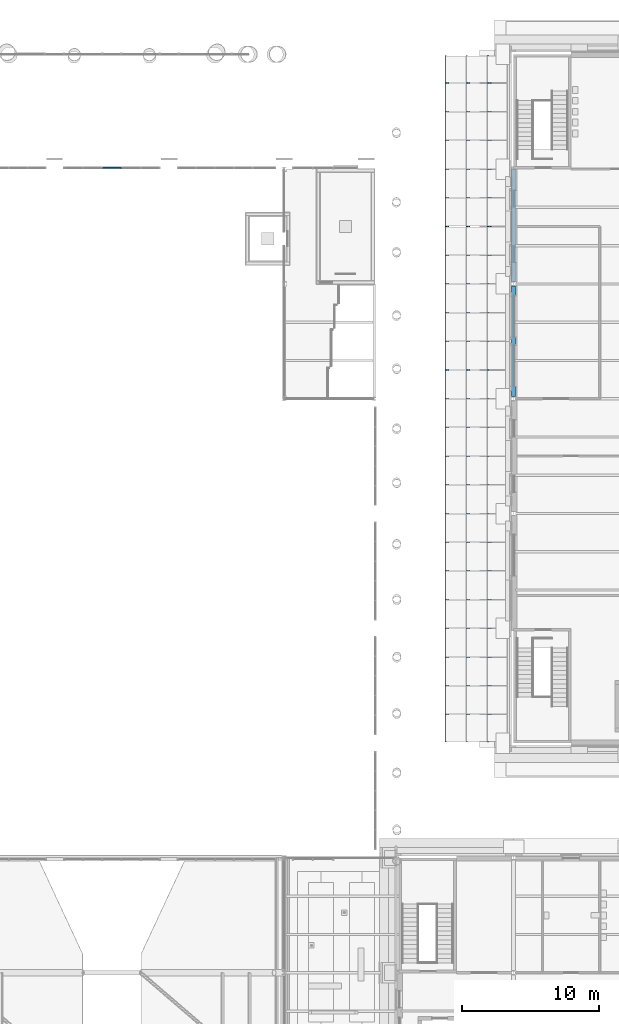
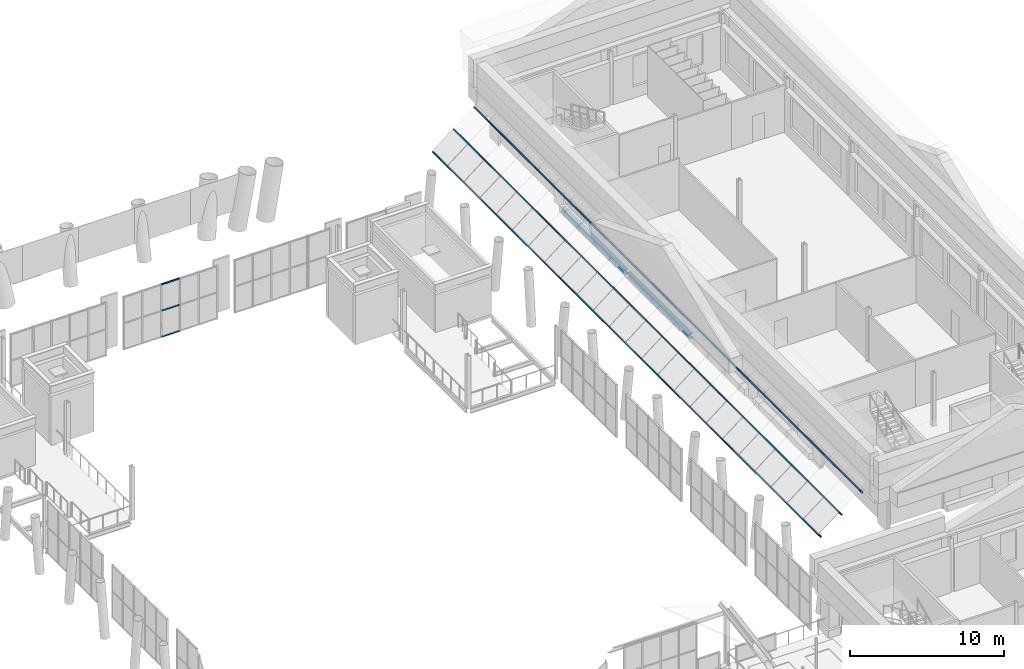
# One storey, part 31 of 76: 9 members, 2 beams, 1 element without a shape of its own.
"""IFC4 building model written with IfcOpenShell, lengths in metres."""

from ifc_helpers import new_model, si_unit, direction, frame, origin, origin_2d, place, context, subcontext, project, spatial, rectangle, i_section, extrude, material, material_profile, profile_set, type_object, element, aggregate, save


model = new_model("IFC4")

# Units and contexts
model_context = context("Model", 3, precision=1e-05, world=origin(), true_north=direction((0.0, 1.0)))
body_context = subcontext(model_context, "Body", "Model", "MODEL_VIEW")
ifc_project = project(units=[si_unit("LENGTHUNIT", "METRE"), si_unit("AREAUNIT", "SQUARE_METRE"), si_unit("VOLUMEUNIT", "CUBIC_METRE"), si_unit("PLANEANGLEUNIT", "RADIAN"), si_unit("MASSUNIT", "GRAM", prefix="KILO")], contexts=[model_context])

# Site, building, storey
site_placement = place(None, origin())
site = spatial("IfcSite", under=ifc_project, at=site_placement, CompositionType="ELEMENT")
building_placement = place(site_placement, origin())
building = spatial("IfcBuilding", under=site, at=building_placement, Name="Sava Quay Ferry Terminal", CompositionType="ELEMENT")
storey_placement = place(building_placement, frame((0.0, 0.0, 10.800048828125)))
storey = spatial("IfcBuildingStorey", under=building, at=storey_placement, Name="L02", CompositionType="ELEMENT", Elevation=10.800048828125)

# Beams
ifc_material_1 = material(Name="Steel S355", Category="steel")
ifc_material_profile_1 = material_profile(ifc_material_1, i_section(OverallWidth=0.300048828125, OverallDepth=0.389892578125, WebThickness=0.010986328125, FlangeThickness=0.01904296875, at=origin_2d()), Name="HE 400 A")
ifc_profile_set_1 = profile_set([ifc_material_profile_1], Name="Steel S355")
beam_type = type_object("IfcBeamType", Name="Girder HE 400 A", PredefinedType="BEAM", material=ifc_profile_set_1)
beam_1_placement = place(storey_placement, frame((92.39990234375, 84.14990234375, -0.324951171875), z_axis=(0.0, 1.0, 0.0), x_axis=(-1.0, 0.0, 0.0)))
element("IfcBeam", 1, at=beam_1_placement, inside=storey, type_object=beam_type, Name="Girder L02", PredefinedType="BEAM", context=body_context, shape_type="SweptSolid", body=[
    extrude(i_section(OverallWidth=0.300048828125, OverallDepth=0.389892578125, WebThickness=0.010986328125, FlangeThickness=0.01904296875, at=origin_2d()), origin(), (0.0, 0.0, 1.0), 8.10009765625),
])
beam_2_placement = place(storey_placement, frame((92.39990234375, 92.550048828125, -0.324951171875), z_axis=(0.0, 1.0, 0.0), x_axis=(-1.0, 0.0, 0.0)))
element("IfcBeam", 2, at=beam_2_placement, inside=storey, type_object=beam_type, Name="Girder L02", PredefinedType="BEAM", context=body_context, shape_type="SweptSolid", body=[
    extrude(i_section(OverallWidth=0.300048828125, OverallDepth=0.389892578125, WebThickness=0.010986328125, FlangeThickness=0.01904296875, at=origin_2d()), origin(), (0.0, 0.0, 1.0), 8.25),
])

# Members
ifc_material_2 = material(Name="Aluminium EN AW-6063 T6", Category="aluminium")
ifc_material_profile_2 = material_profile(ifc_material_2, rectangle(XDim=0.06005859375, YDim=0.06005859375, at=origin_2d()), Name="Bar 60 x 60")
ifc_profile_set_2 = profile_set([ifc_material_profile_2], Name="Aluminium EN AW-6063 T6")
member_type_1 = type_object("IfcMemberType", Name="Glazing bar 60x60", PredefinedType="USERDEFINED", material=ifc_profile_set_2)
for number, where, z_axis, x_axis, name in (
    (3, (87.423583984375, 109.085693359375, 0.9619140625), (0.0, -1.0, 0.0), (0.786318338826, 0.0, 0.617821551927), "Passage roof glazing bar GL25"),
    (4, (88.973388671875, 109.085693359375, 2.1796875), (0.0, -1.0, 0.0), (0.786318338826, 0.0, 0.617821551927), "Passage roof glazing bar GL26"),
    (5, (90.5234375, 109.085693359375, 3.397705078125), (0.0, -1.0, 0.0), (0.786318338826, 0.0, 0.617821551927), "Passage roof glazing bar GL27"),
):
    element("IfcMember", number, at=place(storey_placement, frame(where, z_axis=z_axis, x_axis=x_axis)), inside=storey, type_object=member_type_1, Name=name, ObjectType="GLAZING BAR", PredefinedType="USERDEFINED", context=body_context, shape_type="SweptSolid", body=[
        extrude(rectangle(XDim=0.06005859375, YDim=0.06005859375, at=origin_2d()), origin(), (0.0, 0.0, 1.0), 50.17138671875),
    ])
ifc_material_3 = material(Name="Steel S355", Category="steel")
ifc_material_profile_3 = material_profile(ifc_material_3, i_section(OverallWidth=0.135009765625, OverallDepth=0.27001953125, WebThickness=0.006591796875, FlangeThickness=0.01025390625, at=origin_2d()), Name="IPE 270")
ifc_profile_set_3 = profile_set([ifc_material_profile_3], Name="Steel S355")
member_type_2 = type_object("IfcMemberType", Name="Roof purlin IPE 270", PredefinedType="PURLIN", material=ifc_profile_set_3)
for number, where, z_axis, x_axis, name in (
    (6, (87.525390625, 109.085693359375, 0.832275390625), (0.0, -1.0, 0.0), (0.786318338826, 0.0, 0.617821551927), "Passage roof purlin PU2"),
    (7, (89.075439453125, 109.085693359375, 2.050048828125), (0.0, -1.0, 0.0), (0.786318338826, 0.0, 0.617821551927), "Passage roof purlin PU3"),
    (8, (90.62548828125, 109.085693359375, 3.267822265625), (0.0, -1.0, 0.0), (0.786318338826, 0.0, 0.617821551927), "Passage roof purlin PU4"),
):
    element("IfcMember", number, at=place(storey_placement, frame(where, z_axis=z_axis, x_axis=x_axis)), inside=storey, type_object=member_type_2, Name=name, PredefinedType="PURLIN", context=body_context, shape_type="SweptSolid", body=[
        extrude(i_section(OverallWidth=0.135009765625, OverallDepth=0.27001953125, WebThickness=0.006591796875, FlangeThickness=0.01025390625, at=origin_2d()), origin(), (0.0, 0.0, 1.0), 50.17138671875),
    ])

# Curtain wall, members
ifc_material_4 = material(Name="Aluminium and glass curtain wall, double low-e glazed", Category="aluminium")
curtain_wall_type = type_object("IfcCurtainWallType", Name="Curtain wall CW-G gable", PredefinedType="NOTDEFINED", material=ifc_material_4)
curtain_wall_placement = place(storey_placement, origin())
curtain_wall = element("IfcCurtainWall", 9, at=curtain_wall_placement, inside=storey, type_object=curtain_wall_type, Name="Curtain wall D-N L02 bay 31", PredefinedType="NOTDEFINED")
ifc_material_5 = material(Name="Aluminium EN AW-6063 T6", Category="aluminium")
ifc_material_profile_4 = material_profile(ifc_material_5, rectangle(XDim=0.1201171875, YDim=0.050048828125, at=origin_2d()), Name="Transom 50x120 aluminium")
ifc_profile_set_4 = profile_set([ifc_material_profile_4], Name="Aluminium EN AW-6063 T6")
member_type_3 = type_object("IfcMemberType", Name="Transom 50x120 aluminium", PredefinedType="USERDEFINED", material=ifc_profile_set_4)
member_1_placement = place(storey_placement, frame((62.323974609375, 100.885009765625, 0.02490234375), z_axis=(1.0, 0.0, 0.0), x_axis=(0.0, 1.0, 0.0)))
member_1 = element("IfcMember", 10, at=member_1_placement, type_object=member_type_3, Name="CW71 transom 3.1", ObjectType="TRANSOM", PredefinedType="USERDEFINED", context=body_context, shape_type="SweptSolid", body=[
    extrude(rectangle(XDim=0.1201171875, YDim=0.050048828125, at=origin_2d()), origin(), (0.0, 0.0, 1.0), 1.35205078125),
])
member_2_placement = place(storey_placement, frame((62.323974609375, 100.885009765625, 2.099853515625), z_axis=(1.0, 0.0, 0.0), x_axis=(0.0, 1.0, 0.0)))
member_2 = element("IfcMember", 11, at=member_2_placement, type_object=member_type_3, Name="CW71 transom 3.2", ObjectType="TRANSOM", PredefinedType="USERDEFINED", context=body_context, shape_type="SweptSolid", body=[
    extrude(rectangle(XDim=0.1201171875, YDim=0.050048828125, at=origin_2d()), origin(), (0.0, 0.0, 1.0), 1.35205078125),
])
member_3_placement = place(storey_placement, frame((62.323974609375, 100.885009765625, 4.175048828125), z_axis=(1.0, 0.0, 0.0), x_axis=(0.0, 1.0, 0.0)))
member_3 = element("IfcMember", 12, at=member_3_placement, type_object=member_type_3, Name="CW71 transom 3.3", ObjectType="TRANSOM", PredefinedType="USERDEFINED", context=body_context, shape_type="SweptSolid", body=[
    extrude(rectangle(XDim=0.1201171875, YDim=0.050048828125, at=origin_2d()), origin(), (0.0, 0.0, 1.0), 1.35205078125),
])
aggregate(curtain_wall, [member_1, member_2, member_3])

save(model, "model.ifc")
